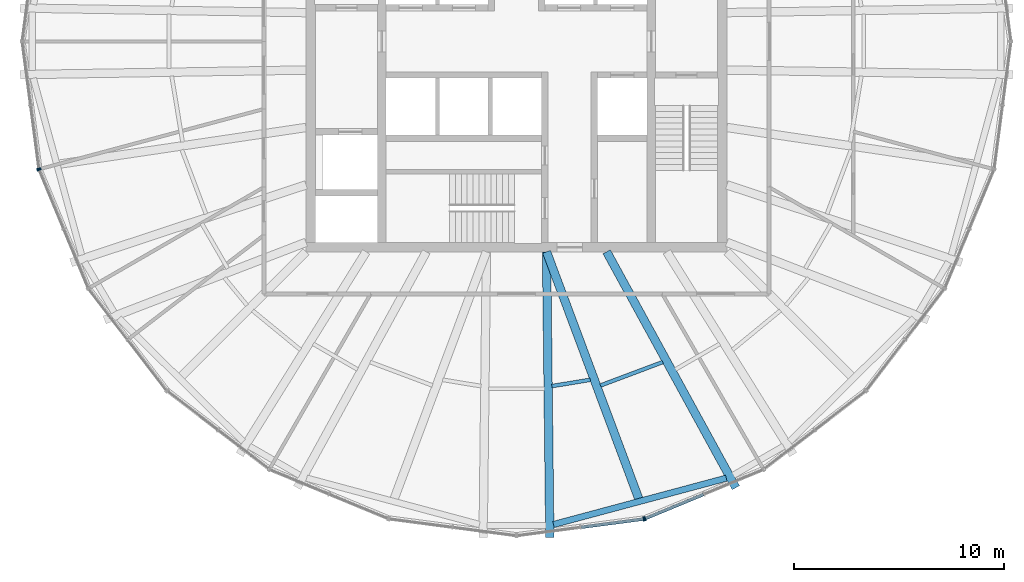
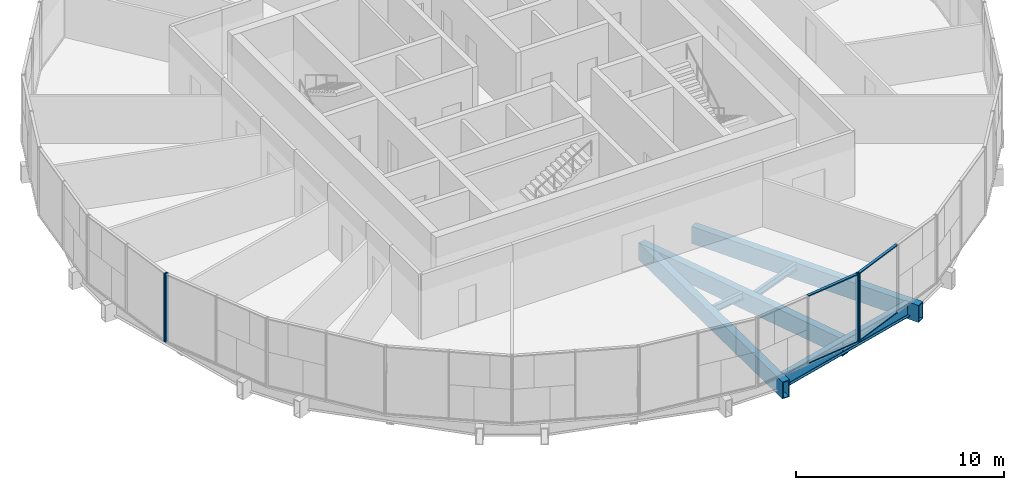
# One storey, part 2 of 13: 8 members, 6 beams, 4 elements without a shape of their own.
"""IFC4 building model written with IfcOpenShell, lengths in metres."""

from ifc_helpers import new_model, si_unit, direction, frame, origin, origin_2d, place, context, subcontext, project, spatial, rectangle, hollow_rectangle, i_section, extrude, material, material_profile, profile_set, type_object, element, aggregate, save


model = new_model("IFC4")

# Units and contexts
model_context = context("Model", 3, precision=1e-05, world=origin(), true_north=direction((0.0, 1.0)))
body_context = subcontext(model_context, "Body", "Model", "MODEL_VIEW")
ifc_project = project(units=[si_unit("LENGTHUNIT", "METRE"), si_unit("AREAUNIT", "SQUARE_METRE"), si_unit("VOLUMEUNIT", "CUBIC_METRE"), si_unit("PLANEANGLEUNIT", "RADIAN"), si_unit("MASSUNIT", "GRAM", prefix="KILO")], contexts=[model_context])

# Site, building, storey
site_placement = place(None, origin())
site = spatial("IfcSite", under=ifc_project, at=site_placement, CompositionType="ELEMENT")
building_placement = place(site_placement, origin())
building = spatial("IfcBuilding", under=site, at=building_placement, Name="Golbaran Civic Tower", CompositionType="ELEMENT")
storey_placement = place(building_placement, frame((0.0, 0.0, 211.0)))
storey = spatial("IfcBuildingStorey", under=building, at=storey_placement, Name="L51", CompositionType="ELEMENT", Elevation=211.0)

# Beams
ifc_material_1 = material(Name="Steel S355", Category="steel")
ifc_material_profile_1 = material_profile(ifc_material_1, i_section(OverallWidth=0.300048828125, OverallDepth=0.800048828125, WebThickness=0.017578125, FlangeThickness=0.032958984375, FilletRadius=0.030029296875, at=origin_2d()), Name="HEB 800")
ifc_profile_set_1 = profile_set([ifc_material_profile_1], Name="Steel S355")
beam_type_1 = type_object("IfcBeamType", Name="EDGE BEAM HEB 800", PredefinedType="BEAM", material=ifc_profile_set_1)
beam_1_placement = place(storey_placement, frame((1.7568359375, -22.954833984375, -0.60009765625), z_axis=(0.965858788326, 0.259069104706, 0.0), x_axis=(-0.259069104706, 0.965858788326, 0.0)))
element("IfcBeam", 1, at=beam_1_placement, inside=storey, type_object=beam_type_1, Name="Edge beam 273.77 L51", PredefinedType="BEAM", context=body_context, shape_type="SweptSolid", body=[
    extrude(i_section(OverallWidth=0.300048828125, OverallDepth=0.800048828125, WebThickness=0.017578125, FlangeThickness=0.032958984375, FilletRadius=0.030029296875, at=origin_2d()), origin(), (0.0, 0.0, 1.0), 8.501220703125),
])
ifc_material_profile_2 = material_profile(ifc_material_1, i_section(OverallWidth=0.179931640625, OverallDepth=0.39990234375, WebThickness=0.008544921875, FlangeThickness=0.013427734375, FilletRadius=0.02099609375, at=origin_2d()), Name="IPE 400")
ifc_profile_set_2 = profile_set([ifc_material_profile_2], Name="Steel S355")
beam_type_2 = type_object("IfcBeamType", Name="FLOOR INFILL BEAM IPE 400", PredefinedType="BEAM", material=ifc_profile_set_2)
beam_2_placement = place(storey_placement, frame((1.681640625, -16.380859375, -0.39990234375), z_axis=(0.986607093362, 0.163114816398, 0.0), x_axis=(-0.163114816398, 0.986607093362, 0.0)))
element("IfcBeam", 2, at=beam_2_placement, inside=storey, type_object=beam_type_2, Name="Infill beam 279.39 L51", PredefinedType="BEAM", context=body_context, shape_type="SweptSolid", body=[
    extrude(i_section(OverallWidth=0.179931640625, OverallDepth=0.39990234375, WebThickness=0.008544921875, FlangeThickness=0.013427734375, FilletRadius=0.02099609375, at=origin_2d()), origin(), (0.0, 0.0, 1.0), 1.849853515625),
])
beam_3_placement = place(storey_placement, frame((3.992431640625, -16.3505859375, -0.39990234375), z_axis=(0.935969741276, 0.352080450203, 0.0), x_axis=(-0.352080450203, 0.935969741276, 0.0)))
element("IfcBeam", 3, at=beam_3_placement, inside=storey, type_object=beam_type_2, Name="Infill beam 290.61 L51", PredefinedType="BEAM", context=body_context, shape_type="SweptSolid", body=[
    extrude(i_section(OverallWidth=0.179931640625, OverallDepth=0.39990234375, WebThickness=0.008544921875, FlangeThickness=0.013427734375, FilletRadius=0.02099609375, at=origin_2d()), origin(), (0.0, 0.0, 1.0), 3.158447265625),
])

# Curtain wall, member
ifc_material_2 = material(Name="Aluminium and glass", Category="aluminium")
curtain_wall_type = type_object("IfcCurtainWallType", Name="INNER SKIN CURTAIN WALL EXECUTIVE", PredefinedType="NOTDEFINED", material=ifc_material_2)
curtain_wall_1_placement = place(storey_placement, origin())
curtain_wall_1 = element("IfcCurtainWall", 4, at=curtain_wall_1_placement, inside=storey, type_object=curtain_wall_type, Name="Inner skin L51 facet 13 CW2", ObjectType="INNER SKIN", PredefinedType="USERDEFINED")
ifc_material_3 = material(Name="Aluminium", Category="aluminium")
ifc_material_profile_3 = material_profile(ifc_material_3, rectangle(XDim=0.199951171875, YDim=0.06005859375, at=origin_2d()), Name="INNER SKIN CURTAIN WALL EXECUTIVE MULLION")
ifc_profile_set_3 = profile_set([ifc_material_profile_3], Name="Aluminium")
member_type_1 = type_object("IfcMemberType", Name="INNER SKIN CURTAIN WALL EXECUTIVE MULLION", PredefinedType="MULLION", material=ifc_profile_set_3)
member_1_placement = place(storey_placement, frame((-22.691650390625, -6.04931640625, 0.0), z_axis=(0.0, 0.0, 1.0), x_axis=(0.991444861376, 0.130526192203, 0.0)))
member_1 = element("IfcMember", 5, at=member_1_placement, type_object=member_type_1, Name="CW2 mullion 3", PredefinedType="MULLION", context=body_context, shape_type="SweptSolid", body=[
    extrude(rectangle(XDim=0.199951171875, YDim=0.06005859375, at=origin_2d()), origin(), (0.0, 0.0, 1.0), 4.0),
])
aggregate(curtain_wall_1, [member_1])

curtain_wall_2_placement = place(storey_placement, origin())
curtain_wall_2 = element("IfcCurtainWall", 6, at=curtain_wall_2_placement, inside=storey, type_object=curtain_wall_type, Name="Inner skin L51 facet 14 CW2", ObjectType="INNER SKIN", PredefinedType="USERDEFINED")
member_2_placement = place(storey_placement, frame((-22.67626953125, -6.10693359375, 0.0), z_axis=(0.0, 0.0, 1.0), x_axis=(0.923879532505, 0.382683432381, 0.0)))
member_2 = element("IfcMember", 7, at=member_2_placement, type_object=member_type_1, Name="CW2 mullion 1", PredefinedType="MULLION", context=body_context, shape_type="SweptSolid", body=[
    extrude(rectangle(XDim=0.199951171875, YDim=0.06005859375, at=origin_2d()), origin(), (0.0, 0.0, 1.0), 4.0),
])
aggregate(curtain_wall_2, [member_2])

curtain_wall_3_placement = place(storey_placement, origin())
curtain_wall_3 = element("IfcCurtainWall", 8, at=curtain_wall_3_placement, inside=storey, type_object=curtain_wall_type, Name="Inner skin L51 facet 19 CW2", ObjectType="INNER SKIN", PredefinedType="USERDEFINED")
member_3_placement = place(storey_placement, frame((6.04931640625, -22.691650390625, 0.0), z_axis=(0.0, 0.0, 1.0), x_axis=(-0.130526192203, 0.991444861376, 0.0)))
member_3 = element("IfcMember", 9, at=member_3_placement, type_object=member_type_1, Name="CW2 mullion 3", PredefinedType="MULLION", context=body_context, shape_type="SweptSolid", body=[
    extrude(rectangle(XDim=0.199951171875, YDim=0.06005859375, at=origin_2d()), origin(), (0.0, 0.0, 1.0), 4.0),
])

curtain_wall_4_placement = place(storey_placement, origin())
curtain_wall_4 = element("IfcCurtainWall", 10, at=curtain_wall_4_placement, inside=storey, type_object=curtain_wall_type, Name="Inner skin L51 facet 20 CW2", ObjectType="INNER SKIN", PredefinedType="USERDEFINED")
member_4_placement = place(storey_placement, frame((6.10693359375, -22.67626953125, 0.0), z_axis=(0.0, 0.0, 1.0), x_axis=(-0.382683432381, 0.923879532505, 0.0)))
member_4 = element("IfcMember", 11, at=member_4_placement, type_object=member_type_1, Name="CW2 mullion 1", PredefinedType="MULLION", context=body_context, shape_type="SweptSolid", body=[
    extrude(rectangle(XDim=0.199951171875, YDim=0.06005859375, at=origin_2d()), origin(), (0.0, 0.0, 1.0), 4.0),
])

# Member
ifc_material_profile_4 = material_profile(ifc_material_3, rectangle(XDim=0.14990234375, YDim=0.06005859375, at=origin_2d()), Name="INNER SKIN CURTAIN WALL EXECUTIVE TRANSOM")
ifc_profile_set_4 = profile_set([ifc_material_profile_4], Name="Aluminium")
member_type_2 = type_object("IfcMemberType", Name="INNER SKIN CURTAIN WALL EXECUTIVE TRANSOM", PredefinedType="USERDEFINED", material=ifc_profile_set_4)
member_5_placement = place(storey_placement, frame((3.0693359375, -23.083984375, 0.030029296875), z_axis=(0.991445078306, 0.130524544442, 0.0), x_axis=(-0.130524544442, 0.991445078306, 0.0)))
member_5 = element("IfcMember", 12, at=member_5_placement, type_object=member_type_2, Name="CW2 transom 2.1", ObjectType="TRANSOM", PredefinedType="USERDEFINED", context=body_context, shape_type="SweptSolid", body=[
    extrude(rectangle(XDim=0.14990234375, YDim=0.06005859375, at=origin_2d()), origin(), (0.0, 0.0, 1.0), 2.975830078125),
])

member_6_placement = place(storey_placement, frame((3.0693359375, -23.083984375, 3.969970703125), z_axis=(0.991445078306, 0.130524544442, 0.0), x_axis=(-0.130524544442, 0.991445078306, 0.0)))
member_6 = element("IfcMember", 13, at=member_6_placement, type_object=member_type_2, Name="CW2 transom 2.2", ObjectType="TRANSOM", PredefinedType="USERDEFINED", context=body_context, shape_type="SweptSolid", body=[
    extrude(rectangle(XDim=0.14990234375, YDim=0.06005859375, at=origin_2d()), origin(), (0.0, 0.0, 1.0), 2.975830078125),
])

aggregate(curtain_wall_3, [member_3, member_5, member_6])

member_7_placement = place(storey_placement, frame((6.134521484375, -22.664794921875, 0.030029296875), z_axis=(0.923863837405, 0.382721321507, 0.0), x_axis=(-0.382721321507, 0.923863837405, 0.0)))
member_7 = element("IfcMember", 14, at=member_7_placement, type_object=member_type_2, Name="CW2 transom 1.1", ObjectType="TRANSOM", PredefinedType="USERDEFINED", context=body_context, shape_type="SweptSolid", body=[
    extrude(rectangle(XDim=0.14990234375, YDim=0.06005859375, at=origin_2d()), origin(), (0.0, 0.0, 1.0), 2.975830078125),
])

member_8_placement = place(storey_placement, frame((6.134521484375, -22.664794921875, 3.969970703125), z_axis=(0.923863837405, 0.382721321507, 0.0), x_axis=(-0.382721321507, 0.923863837405, 0.0)))
member_8 = element("IfcMember", 15, at=member_8_placement, type_object=member_type_2, Name="CW2 transom 1.2", ObjectType="TRANSOM", PredefinedType="USERDEFINED", context=body_context, shape_type="SweptSolid", body=[
    extrude(rectangle(XDim=0.14990234375, YDim=0.06005859375, at=origin_2d()), origin(), (0.0, 0.0, 1.0), 2.975830078125),
])

aggregate(curtain_wall_4, [member_4, member_7, member_8])

# Beams
ifc_material_profile_5 = material_profile(ifc_material_1, hollow_rectangle(XDim=0.39990234375, YDim=1.0, WallThickness=0.050048828125, at=origin_2d()), Name="BOX 1000x400x50")
ifc_profile_set_5 = profile_set([ifc_material_profile_5], Name="Steel S355")
beam_type_3 = type_object("IfcBeamType", Name="RADIAL FLOOR BEAM BOX 1000x400x50", PredefinedType="BEAM", material=ifc_profile_set_5)
beam_4_placement = place(storey_placement, frame((1.428466796875, -10.0, -0.7099609375), z_axis=(0.011454640758, -0.99993439345, 0.0), x_axis=(0.99993439345, 0.011454640758, 0.0)))
element("IfcBeam", 16, at=beam_4_placement, inside=storey, type_object=beam_type_3, Name="Radial beam 273.77 L51", PredefinedType="BEAM", context=body_context, shape_type="SweptSolid", body=[
    extrude(hollow_rectangle(XDim=0.39990234375, YDim=1.0, WallThickness=0.050048828125, at=origin_2d()), origin(), (0.0, 0.0, 1.0), 13.576904296875),
])
beam_5_placement = place(storey_placement, frame((4.28564453125, -10.0, -0.7099609375), z_axis=(0.480258620851, -0.877126933287, 0.0), x_axis=(0.877126933287, 0.480258620851, 0.0)))
element("IfcBeam", 17, at=beam_5_placement, inside=storey, type_object=beam_type_3, Name="Radial beam 296.23 L51", PredefinedType="BEAM", context=body_context, shape_type="SweptSolid", body=[
    extrude(hollow_rectangle(XDim=0.39990234375, YDim=1.0, WallThickness=0.050048828125, at=origin_2d()), origin(), (0.0, 0.0, 1.0), 12.7763671875),
])
ifc_material_profile_6 = material_profile(ifc_material_1, hollow_rectangle(XDim=0.39990234375, YDim=1.0, WallThickness=0.0400390625, at=origin_2d()), Name="BOX 1000x400x40")
ifc_profile_set_6 = profile_set([ifc_material_profile_6], Name="Steel S355")
beam_type_4 = type_object("IfcBeamType", Name="SECONDARY FLOOR BEAM BOX 1000x400x40", PredefinedType="BEAM", material=ifc_profile_set_6)
beam_6_placement = place(storey_placement, frame((1.428466796875, -10.0, -0.7099609375), z_axis=(0.349877878636, -0.936795319182, 0.0), x_axis=(0.936795319182, 0.349877878636, 0.0)))
element("IfcBeam", 18, at=beam_6_placement, inside=storey, type_object=beam_type_4, Name="Secondary beam 285.00 L51", PredefinedType="BEAM", context=body_context, shape_type="SweptSolid", body=[
    extrude(hollow_rectangle(XDim=0.39990234375, YDim=1.0, WallThickness=0.0400390625, at=origin_2d()), origin(), (0.0, 0.0, 1.0), 12.655029296875),
])

save(model, "model.ifc")
